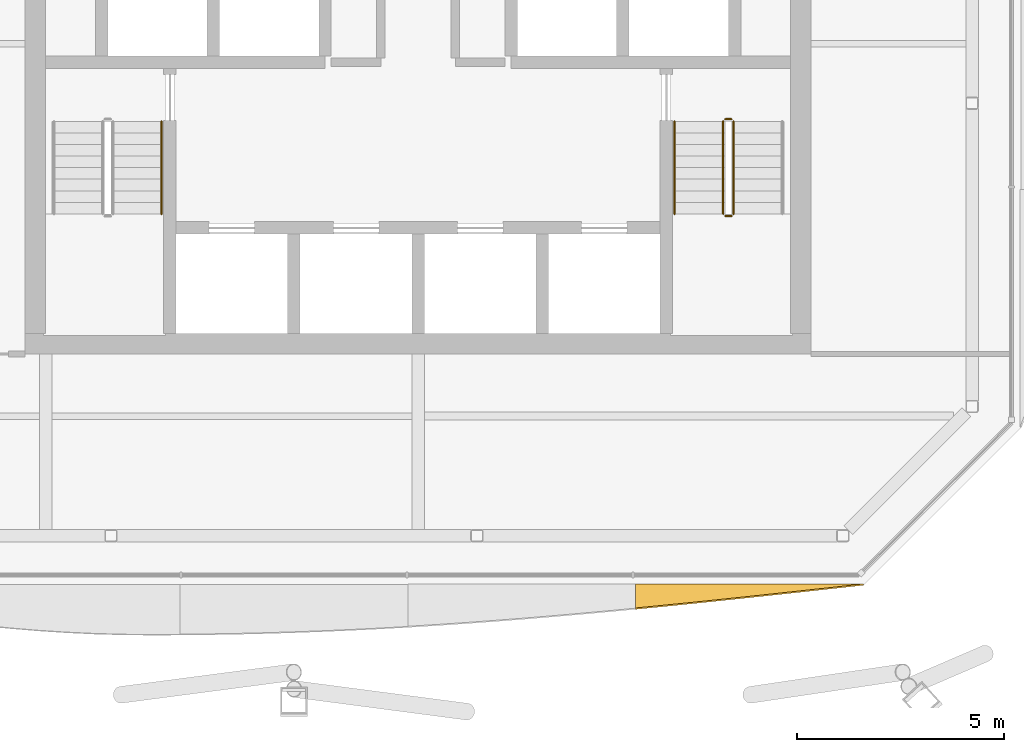
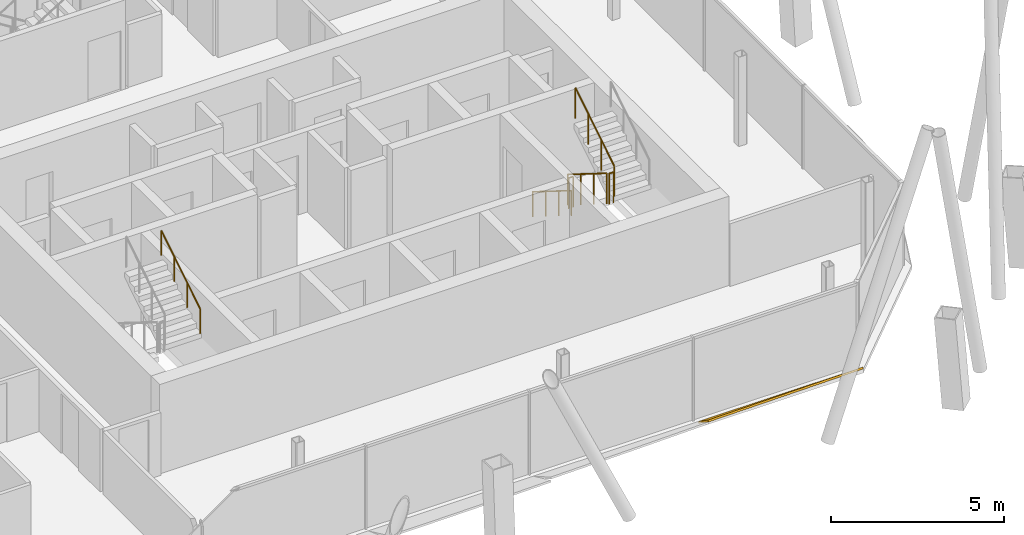
# One storey, part 14 of 16: 6 railings, 1 shading device.
"""IFC4 building model written with IfcOpenShell, lengths in metres."""

from ifc_helpers import new_model, si_unit, direction, frame, origin, origin_2d, place, context, subcontext, project, spatial, polyline, circle, outline, extrude, material, layer, layer_set, type_object, element, save


model = new_model("IFC4")

# Units and contexts
model_context = context("Model", 3, precision=1e-05, world=origin(), true_north=direction((0.0, 1.0)))
body_context = subcontext(model_context, "Body", "Model", "MODEL_VIEW")
ifc_project = project(units=[si_unit("LENGTHUNIT", "METRE"), si_unit("AREAUNIT", "SQUARE_METRE"), si_unit("VOLUMEUNIT", "CUBIC_METRE"), si_unit("PLANEANGLEUNIT", "RADIAN"), si_unit("MASSUNIT", "GRAM", prefix="KILO")], contexts=[model_context])

# Site, building, storey
site_placement = place(None, origin())
site = spatial("IfcSite", under=ifc_project, at=site_placement, CompositionType="ELEMENT")
building_placement = place(site_placement, origin())
building = spatial("IfcBuilding", under=site, at=building_placement, Name="Tskaro Facet Tower", CompositionType="ELEMENT")
storey_placement = place(building_placement, frame((0.0, 0.0, 245.550048828125)))
storey = spatial("IfcBuildingStorey", under=building, at=storey_placement, Name="L64", CompositionType="ELEMENT", Elevation=245.550048828125)

# Shading device
ifc_material_1 = material(Name="Bronze anodised aluminium 6063-T6", Category="aluminium")
ifc_layer = layer(ifc_material_1, 0.06005859375, Name="Bronze anodised aluminium 6063-T6")
ifc_layer_set = layer_set([ifc_layer], Name="Bronze anodised aluminium 6063-T6")
shading_device_type = type_object("IfcShadingDeviceType", Name="Bronze sun blade (FN1)", PredefinedType="USERDEFINED", material=ifc_layer_set)
shading_device_placement = place(storey_placement, frame((5.259033203125, -17.556640625, 0.049072265625), z_axis=(6.960137e-06, 0.573713813083, 0.819055834867), x_axis=(0.999999999976, -3.993127e-06, -5.70074e-06)))
element("IfcShadingDevice", 1, at=shading_device_placement, inside=storey, type_object=shading_device_type, Name="Fin blade south 5", ObjectType="FIN", PredefinedType="USERDEFINED", context=body_context, shape_type="SweptSolid", body=[
    extrude(outline(polyline([(0.0, 0.0), (5.505859374866638, 0.0), (4.817626953205703, -0.09238359527755835), (4.1293945305698845, -0.18456722575167755), (3.4411621087678617, -0.27607079292111736), (2.7529296872416475, -0.36635430033009886), (2.0646972650163593, -0.4552177831751829), (1.3764648448755599, -0.5423811077585684), (0.6882324225028152, -0.6273844465188385), (-2.931950881822781e-10, -0.7097477009547528), (0.0, 0.0)])), origin(), (0.0, 0.0, -1.0), 0.06005859375),
])

# Railings
ifc_material_2 = material(Name="Stainless steel", Category="steel")
railing_type_1 = type_object("IfcRailingType", Name="RL-GUARD-1100", PredefinedType="GUARDRAIL", material=ifc_material_2)
railing_1_placement = place(storey_placement, frame((7.375, -6.375, 0.175048828125)))
element("IfcRailing", 2, at=railing_1_placement, inside=storey, type_object=railing_type_1, Name="L64 ST-2 stair guard 1", PredefinedType="GUARDRAIL", context=body_context, shape_type="SweptSolid", body=[
    extrude(circle(Radius=0.02392578125, at=origin_2d()), frame((0.0, 0.0, 1.076171875), z_axis=(0.0, -0.848013881152, 0.529974015752), x_axis=(1.0, 0.0, 0.0)), (0.0, 0.0, 1.0), 2.641357421875),
    extrude(circle(Radius=0.02099609375, at=origin_2d()), origin(), (0.0, 0.0, 1.0), 1.052001953125),
    extrude(circle(Radius=0.02099609375, at=origin_2d()), frame((0.0, -0.74658203125, 0.466552734375)), (0.0, 0.0, 1.0), 1.052001953125),
    extrude(circle(Radius=0.02099609375, at=origin_2d()), frame((0.0, -1.493408203125, 0.933349609375)), (0.0, 0.0, 1.0), 1.052001953125),
    extrude(circle(Radius=0.02099609375, at=origin_2d()), frame((0.0, -2.239990234375, 1.39990234375)), (0.0, 0.0, 1.0), 1.052001953125),
])
railing_2_placement = place(storey_placement, frame((7.425048828125, -8.6650390625, 1.574951171875)))
element("IfcRailing", 3, at=railing_2_placement, inside=storey, type_object=railing_type_1, Name="L64 ST-2 stair guard 2", PredefinedType="GUARDRAIL", context=body_context, shape_type="SweptSolid", body=[
    extrude(circle(Radius=0.02392578125, at=origin_2d()), frame((0.0, 0.0, 1.076171875), z_axis=(1.0, 0.0, 0.0), x_axis=(0.0, 1.0, 0.0)), (0.0, 0.0, 1.0), 0.14990234375),
    extrude(circle(Radius=0.02099609375, at=origin_2d()), origin(), (0.0, 0.0, 1.0), 1.052001953125),
    extrude(circle(Radius=0.02099609375, at=origin_2d()), frame((0.14990234375, 0.0, 0.0)), (0.0, 0.0, 1.0), 1.052001953125),
])
railing_3_placement = place(storey_placement, frame((7.625, -8.614990234375, 1.75)))
element("IfcRailing", 4, at=railing_3_placement, inside=storey, type_object=railing_type_1, Name="L64 ST-2 stair guard 3", PredefinedType="GUARDRAIL", context=body_context, shape_type="SweptSolid", body=[
    extrude(circle(Radius=0.02392578125, at=origin_2d()), frame((0.0, 0.0, 1.076171875), z_axis=(0.0, 0.848013881152, 0.529974015752), x_axis=(-1.0, 0.0, 0.0)), (0.0, 0.0, 1.0), 2.641357421875),
    extrude(circle(Radius=0.02099609375, at=origin_2d()), origin(), (0.0, 0.0, 1.0), 1.052001953125),
    extrude(circle(Radius=0.02099609375, at=origin_2d()), frame((0.0, 0.74658203125, 0.466552734375)), (0.0, 0.0, 1.0), 1.052001953125),
    extrude(circle(Radius=0.02099609375, at=origin_2d()), frame((0.0, 1.493408203125, 0.933349609375)), (0.0, 0.0, 1.0), 1.052001953125),
    extrude(circle(Radius=0.02099609375, at=origin_2d()), frame((0.0, 2.239990234375, 1.39990234375)), (0.0, 0.0, 1.0), 1.052001953125),
])
railing_4_placement = place(storey_placement, frame((7.425048828125, -6.324951171875, 0.0)))
element("IfcRailing", 5, at=railing_4_placement, inside=storey, type_object=railing_type_1, Name="L64 ST-2 stair guard 4", PredefinedType="GUARDRAIL", context=body_context, shape_type="SweptSolid", body=[
    extrude(circle(Radius=0.02392578125, at=origin_2d()), frame((0.0, 0.0, 1.076171875), z_axis=(1.0, 0.0, 0.0), x_axis=(0.0, 1.0, 0.0)), (0.0, 0.0, 1.0), 0.14990234375),
    extrude(circle(Radius=0.02099609375, at=origin_2d()), origin(), (0.0, 0.0, 1.0), 1.052001953125),
    extrude(circle(Radius=0.02099609375, at=origin_2d()), frame((0.14990234375, 0.0, 0.0)), (0.0, 0.0, 1.0), 1.052001953125),
])
railing_type_2 = type_object("IfcRailingType", Name="RL-HANDRAIL-900", PredefinedType="HANDRAIL", material=ifc_material_2)
railing_5_placement = place(storey_placement, frame((-6.199951171875, -8.614990234375, 1.75)))
element("IfcRailing", 6, at=railing_5_placement, inside=storey, type_object=railing_type_2, Name="L64 ST-1 stair handrail 2", PredefinedType="HANDRAIL", context=body_context, shape_type="SweptSolid", body=[
    extrude(circle(Radius=0.02392578125, at=origin_2d()), frame((0.0, 0.0, 0.8759765625), z_axis=(0.0, 0.848013881152, 0.529974015752), x_axis=(-1.0, 0.0, 0.0)), (0.0, 0.0, 1.0), 2.641357421875),
    extrude(circle(Radius=0.02099609375, at=origin_2d()), origin(), (0.0, 0.0, 1.0), 0.851806640625),
    extrude(circle(Radius=0.02099609375, at=origin_2d()), frame((0.0, 0.74658203125, 0.466552734375)), (0.0, 0.0, 1.0), 0.851806640625),
    extrude(circle(Radius=0.02099609375, at=origin_2d()), frame((0.0, 1.493408203125, 0.933349609375)), (0.0, 0.0, 1.0), 0.851806640625),
    extrude(circle(Radius=0.02099609375, at=origin_2d()), frame((0.0, 2.239990234375, 1.39990234375)), (0.0, 0.0, 1.0), 0.851806640625),
])
railing_6_placement = place(storey_placement, frame((6.199951171875, -6.375, 0.175048828125)))
element("IfcRailing", 7, at=railing_6_placement, inside=storey, type_object=railing_type_2, Name="L64 ST-2 stair handrail 1", PredefinedType="HANDRAIL", context=body_context, shape_type="SweptSolid", body=[
    extrude(circle(Radius=0.02392578125, at=origin_2d()), frame((0.0, 0.0, 0.8759765625), z_axis=(0.0, -0.848013881152, 0.529974015752), x_axis=(1.0, 0.0, 0.0)), (0.0, 0.0, 1.0), 2.641357421875),
    extrude(circle(Radius=0.02099609375, at=origin_2d()), origin(), (0.0, 0.0, 1.0), 0.851806640625),
    extrude(circle(Radius=0.02099609375, at=origin_2d()), frame((0.0, -0.74658203125, 0.466552734375)), (0.0, 0.0, 1.0), 0.851806640625),
    extrude(circle(Radius=0.02099609375, at=origin_2d()), frame((0.0, -1.493408203125, 0.933349609375)), (0.0, 0.0, 1.0), 0.851806640625),
    extrude(circle(Radius=0.02099609375, at=origin_2d()), frame((0.0, -2.239990234375, 1.39990234375)), (0.0, 0.0, 1.0), 0.851806640625),
])

save(model, "model.ifc")
